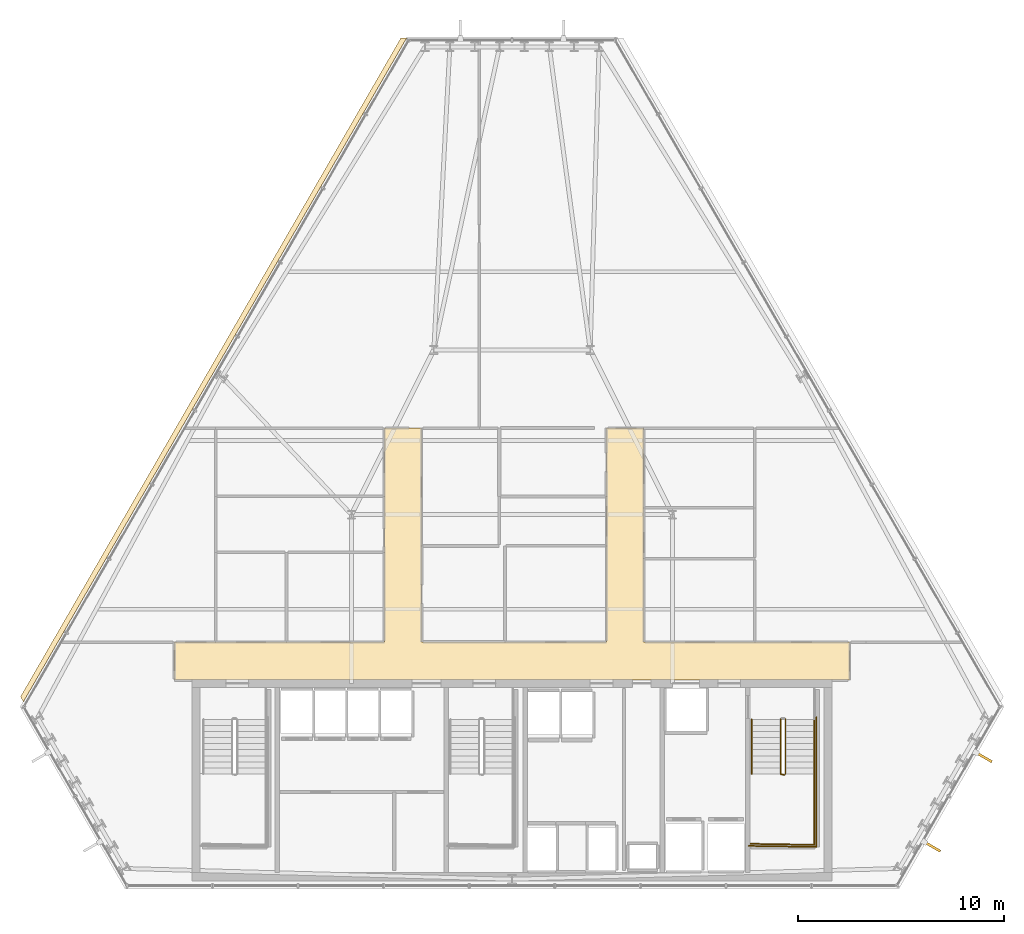
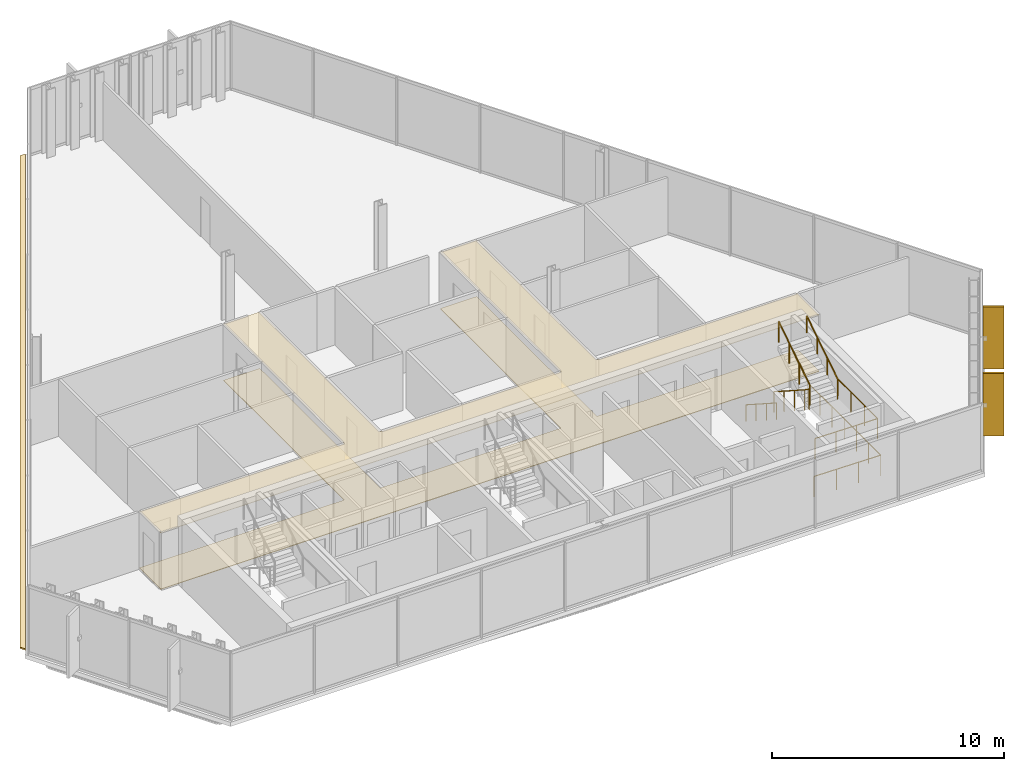
# One storey, part 33 of 35: 6 railings, 3 coverings, 2 shading devices.
"""IFC4 building model written with IfcOpenShell, lengths in metres."""

from ifc_helpers import new_model, si_unit, direction, frame, origin, origin_2d, place, context, subcontext, project, spatial, polyline, rectangle, circle, outline, extrude, material, layer, layer_set, type_object, element, save


model = new_model("IFC4")

# Units and contexts
model_context = context("Model", 3, precision=1e-05, world=origin(), true_north=direction((0.0, 1.0)))
body_context = subcontext(model_context, "Body", "Model", "MODEL_VIEW")
ifc_project = project(units=[si_unit("LENGTHUNIT", "METRE"), si_unit("AREAUNIT", "SQUARE_METRE"), si_unit("VOLUMEUNIT", "CUBIC_METRE"), si_unit("PLANEANGLEUNIT", "RADIAN"), si_unit("MASSUNIT", "GRAM", prefix="KILO")], contexts=[model_context])

# Site, building, storey
site_placement = place(None, origin())
site = spatial("IfcSite", under=ifc_project, at=site_placement, CompositionType="ELEMENT")
building_placement = place(site_placement, origin())
building = spatial("IfcBuilding", under=site, at=building_placement, Name="Ndaravel Arena Tower", CompositionType="ELEMENT")
storey_placement = place(building_placement, frame((0.0, 0.0, 172.60009765625)))
storey = spatial("IfcBuildingStorey", under=building, at=storey_placement, Name="L41", CompositionType="ELEMENT", Elevation=172.60009765625)

# Coverings
ifc_material_1 = material(Name="Acoustic Ceiling Tile", Category="finish")
ifc_layer_1 = layer(ifc_material_1, 0.02490234375)
ifc_layer_set_1 = layer_set([ifc_layer_1], Name="Acoustic Ceiling Tile")
covering_type_1 = type_object("IfcCoveringType", Name="COV-CEIL-AC600", PredefinedType="CEILING", material=ifc_layer_set_1)
covering_1_placement = place(storey_placement, frame((0.0, 0.0, 2.98046875)))
element("IfcCovering", 1, at=covering_1_placement, inside=storey, type_object=covering_type_1, Name="L41 Corridor Acoustic Ceiling", PredefinedType="CEILING", context=body_context, shape_type="SweptSolid", body=[
    extrude(outline(polyline([(58.39990234375, 17.0), (48.39990234375, 17.0), (48.39990234375, 27.39990234375), (46.60009765625, 27.39990234375), (46.60009765625, 17.0), (37.60009765625, 17.0), (37.60009765625, 27.39990234375), (35.800048828125, 27.39990234375), (35.800048828125, 17.0), (25.60009765625, 17.0), (25.60009765625, 15.14990234375), (58.39990234375, 15.14990234375), (58.39990234375, 17.0)])), origin(), (0.0, 0.0, 1.0), 0.02490234375),
])
ifc_material_2 = material(Name="Terrazzo", Category="stone")
ifc_layer_2 = layer(ifc_material_2, 0.030029296875)
ifc_layer_set_2 = layer_set([ifc_layer_2], Name="Terrazzo")
covering_type_2 = type_object("IfcCoveringType", Name="COV-FLOOR-TERRAZZO", PredefinedType="FLOORING", material=ifc_layer_set_2)
covering_2_placement = place(storey_placement, origin())
element("IfcCovering", 2, at=covering_2_placement, inside=storey, type_object=covering_type_2, Name="L41 Corridor Terrazzo Flooring", PredefinedType="FLOORING", context=body_context, shape_type="SweptSolid", body=[
    extrude(outline(polyline([(58.39990234375, 17.0), (48.39990234375, 17.0), (48.39990234375, 27.39990234375), (46.60009765625, 27.39990234375), (46.60009765625, 17.0), (37.60009765625, 17.0), (37.60009765625, 27.39990234375), (35.800048828125, 27.39990234375), (35.800048828125, 17.0), (25.60009765625, 17.0), (25.60009765625, 15.14990234375), (58.39990234375, 15.14990234375), (58.39990234375, 17.0)])), origin(), (0.0, 0.0, 1.0), 0.02978515625),
])
ifc_material_3 = material(Name="Roofing Membrane", Category="finish")
ifc_layer_3 = layer(ifc_material_3, 0.080078125)
ifc_layer_set_3 = layer_set([ifc_layer_3], Name="Roofing Membrane")
covering_type_3 = type_object("IfcCoveringType", Name="COV-ROOF-MEMB", PredefinedType="ROOFING", material=ifc_layer_set_3)
covering_3_placement = place(storey_placement, origin())
element("IfcCovering", 3, at=covering_3_placement, inside=storey, type_object=covering_type_3, Name="L41 Facet Setback Weathering Flashing", PredefinedType="ROOFING", context=body_context, shape_type="SweptSolid", body=[
    extrude(outline(polyline([(18.119873046875, 14.348388671875), (36.602783203125, 46.36181640625), (36.885009765625, 46.36181640625), (18.260986328125, 14.10400390625), (18.119873046875, 14.348388671875)])), origin(), (0.0, 0.0, 1.0), 0.079833984375),
])

# Railings
ifc_material_4 = material(Name="Steel S355", Category="steel")
ifc_layer_4 = layer(ifc_material_4, 0.06005859375)
ifc_layer_set_4 = layer_set([ifc_layer_4], Name="Steel S355")
railing_type_1 = type_object("IfcRailingType", Name="RAIL-STAIR-GD1100", PredefinedType="GUARDRAIL", material=ifc_layer_set_4)
railing_1_placement = place(storey_placement, frame((55.050048828125, 13.25, 0.18994140625)))
element("IfcRailing", 4, at=railing_1_placement, inside=storey, type_object=railing_type_1, Name="L41 ST-3 stair guard 1", PredefinedType="GUARDRAIL", context=body_context, shape_type="SweptSolid", body=[
    extrude(circle(Radius=0.02392578125, at=origin_2d()), frame((0.0, 0.0, 1.076171875), z_axis=(0.0, -0.840723540582, 0.54146461409), x_axis=(1.0, 0.0, 0.0)), (0.0, 0.0, 1.0), 3.157958984375),
    extrude(circle(Radius=0.02392578125, at=origin_2d()), frame((0.0, -2.655029296875, 2.7861328125), z_axis=(0.966993988697, -0.254799187253, 0.0), x_axis=(0.254799187253, 0.966993988697, 0.0)), (0.0, 0.0, 1.0), 0.196533203125),
    extrude(circle(Radius=0.02099609375, at=origin_2d()), origin(), (0.0, 0.0, 1.0), 1.052001953125),
    extrude(circle(Radius=0.02099609375, at=origin_2d()), frame((0.0, -0.885009765625, 0.570068359375)), (0.0, 0.0, 1.0), 1.052001953125),
    extrude(circle(Radius=0.02099609375, at=origin_2d()), frame((0.0, -1.77001953125, 1.139892578125)), (0.0, 0.0, 1.0), 1.052001953125),
    extrude(circle(Radius=0.02099609375, at=origin_2d()), frame((0.0, -2.655029296875, 1.7099609375)), (0.0, 0.0, 1.0), 1.052001953125),
    extrude(circle(Radius=0.02099609375, at=origin_2d()), frame((0.18994140625, -2.705078125, 1.7099609375)), (0.0, 0.0, 1.0), 1.052001953125),
])
railing_2_placement = place(storey_placement, frame((56.68994140625, 10.594970703125, 1.89990234375)))
element("IfcRailing", 5, at=railing_2_placement, inside=storey, type_object=railing_type_1, Name="L41 ST-3 stair guard 2", PredefinedType="GUARDRAIL", context=body_context, shape_type="SweptSolid", body=[
    extrude(circle(Radius=0.02392578125, at=origin_2d()), frame((0.0, 0.0, 1.076171875), z_axis=(0.0, -1.0, 0.0), x_axis=(1.0, 0.0, 0.0)), (0.0, 0.0, 1.0), 3.445068359375),
    extrude(circle(Radius=0.02392578125, at=origin_2d()), frame((0.0, -3.445068359375, 1.076171875), z_axis=(-0.999868840623, 0.016195726322, 0.0), x_axis=(-0.016195726322, -0.999868840623, 0.0)), (0.0, 0.0, 1.0), 3.09033203125),
    extrude(circle(Radius=0.02099609375, at=origin_2d()), origin(), (0.0, 0.0, 1.0), 1.052001953125),
    extrude(circle(Radius=0.02099609375, at=origin_2d()), frame((0.0, -1.1484375, 0.0)), (0.0, 0.0, 1.0), 1.052001953125),
    extrude(circle(Radius=0.02099609375, at=origin_2d()), frame((0.0, -2.296630859375, 0.0)), (0.0, 0.0, 1.0), 1.052001953125),
    extrude(circle(Radius=0.02099609375, at=origin_2d()), frame((0.0, -3.445068359375, 0.0)), (0.0, 0.0, 1.0), 1.052001953125),
    extrude(circle(Radius=0.02099609375, at=origin_2d()), frame((-1.030029296875, -3.428466796875, 0.0)), (0.0, 0.0, 1.0), 1.052001953125),
    extrude(circle(Radius=0.02099609375, at=origin_2d()), frame((-2.059814453125, -3.41162109375, 0.0)), (0.0, 0.0, 1.0), 1.052001953125),
    extrude(circle(Radius=0.02099609375, at=origin_2d()), frame((-3.08984375, -3.39501953125, 0.0)), (0.0, 0.0, 1.0), 1.052001953125),
])
railing_3_placement = place(storey_placement, frame((55.2900390625, 10.594970703125, 2.08984375)))
element("IfcRailing", 6, at=railing_3_placement, inside=storey, type_object=railing_type_1, Name="L41 ST-3 stair guard 3", PredefinedType="GUARDRAIL", context=body_context, shape_type="SweptSolid", body=[
    extrude(circle(Radius=0.02392578125, at=origin_2d()), frame((0.0, 0.0, 1.076171875), z_axis=(0.0, 0.840723540582, 0.54146461409), x_axis=(-1.0, 0.0, 0.0)), (0.0, 0.0, 1.0), 3.157958984375),
    extrude(circle(Radius=0.02099609375, at=origin_2d()), origin(), (0.0, 0.0, 1.0), 1.052001953125),
    extrude(circle(Radius=0.02099609375, at=origin_2d()), frame((0.0, 0.885009765625, 0.570068359375)), (0.0, 0.0, 1.0), 1.052001953125),
    extrude(circle(Radius=0.02099609375, at=origin_2d()), frame((0.0, 1.77001953125, 1.139892578125)), (0.0, 0.0, 1.0), 1.052001953125),
    extrude(circle(Radius=0.02099609375, at=origin_2d()), frame((0.0, 2.655029296875, 1.7099609375)), (0.0, 0.0, 1.0), 1.052001953125),
])
railing_4_placement = place(storey_placement, frame((56.7900390625, 13.35009765625, 0.0)))
element("IfcRailing", 7, at=railing_4_placement, inside=storey, type_object=railing_type_1, Name="L41 ST-3 stair guard 6", PredefinedType="GUARDRAIL", context=body_context, shape_type="SweptSolid", body=[
    extrude(circle(Radius=0.02392578125, at=origin_2d()), frame((0.0, 0.0, 1.076171875), z_axis=(0.0, -1.0, 0.0), x_axis=(1.0, 0.0, 0.0)), (0.0, 0.0, 1.0), 6.300048828125),
    extrude(circle(Radius=0.02392578125, at=origin_2d()), frame((0.0, -6.300048828125, 1.076171875), z_axis=(-0.99988431412, 0.015210469308, 0.0), x_axis=(-0.015210469308, -0.99988431412, 0.0)), (0.0, 0.0, 1.0), 3.29052734375),
    extrude(circle(Radius=0.02099609375, at=origin_2d()), origin(), (0.0, 0.0, 1.0), 1.052001953125),
    extrude(circle(Radius=0.02099609375, at=origin_2d()), frame((0.0, -1.050048828125, 0.0)), (0.0, 0.0, 1.0), 1.052001953125),
    extrude(circle(Radius=0.02099609375, at=origin_2d()), frame((0.0, -2.10009765625, 0.0)), (0.0, 0.0, 1.0), 1.052001953125),
    extrude(circle(Radius=0.02099609375, at=origin_2d()), frame((0.0, -3.14990234375, 0.0)), (0.0, 0.0, 1.0), 1.052001953125),
    extrude(circle(Radius=0.02099609375, at=origin_2d()), frame((0.0, -4.199951171875, 0.0)), (0.0, 0.0, 1.0), 1.052001953125),
    extrude(circle(Radius=0.02099609375, at=origin_2d()), frame((0.0, -5.25, 0.0)), (0.0, 0.0, 1.0), 1.052001953125),
    extrude(circle(Radius=0.02099609375, at=origin_2d()), frame((0.0, -6.300048828125, 0.0)), (0.0, 0.0, 1.0), 1.052001953125),
    extrude(circle(Radius=0.02099609375, at=origin_2d()), frame((-1.0966796875, -6.283447265625, 0.0)), (0.0, 0.0, 1.0), 1.052001953125),
    extrude(circle(Radius=0.02099609375, at=origin_2d()), frame((-2.193359375, -6.2666015625, 0.0)), (0.0, 0.0, 1.0), 1.052001953125),
    extrude(circle(Radius=0.02099609375, at=origin_2d()), frame((-3.2900390625, -6.25, 0.0)), (0.0, 0.0, 1.0), 1.052001953125),
])
ifc_material_5 = material(Name="Steel S355", Category="steel")
ifc_layer_5 = layer(ifc_material_5, 0.050048828125)
ifc_layer_set_5 = layer_set([ifc_layer_5], Name="Steel S355")
railing_type_2 = type_object("IfcRailingType", Name="RAIL-STAIR-HR920", PredefinedType="HANDRAIL", material=ifc_layer_set_5)
railing_5_placement = place(storey_placement, frame((53.64990234375, 13.25, 0.18994140625)))
element("IfcRailing", 8, at=railing_5_placement, inside=storey, type_object=railing_type_2, Name="L41 ST-3 stair handrail 1", PredefinedType="HANDRAIL", context=body_context, shape_type="SweptSolid", body=[
    extrude(circle(Radius=0.02392578125, at=origin_2d()), frame((0.0, 0.0, 0.8759765625), z_axis=(0.0, -0.840723540582, 0.54146461409), x_axis=(1.0, 0.0, 0.0)), (0.0, 0.0, 1.0), 3.157958984375),
    extrude(circle(Radius=0.02099609375, at=origin_2d()), origin(), (0.0, 0.0, 1.0), 0.851806640625),
    extrude(circle(Radius=0.02099609375, at=origin_2d()), frame((0.0, -0.885009765625, 0.570068359375)), (0.0, 0.0, 1.0), 0.851806640625),
    extrude(circle(Radius=0.02099609375, at=origin_2d()), frame((0.0, -1.77001953125, 1.139892578125)), (0.0, 0.0, 1.0), 0.851806640625),
    extrude(circle(Radius=0.02099609375, at=origin_2d()), frame((0.0, -2.655029296875, 1.7099609375)), (0.0, 0.0, 1.0), 0.851806640625),
])
railing_6_placement = place(storey_placement, frame((56.68994140625, 10.594970703125, 2.08984375)))
element("IfcRailing", 9, at=railing_6_placement, inside=storey, type_object=railing_type_2, Name="L41 ST-3 stair handrail 2", PredefinedType="HANDRAIL", context=body_context, shape_type="SweptSolid", body=[
    extrude(circle(Radius=0.02392578125, at=origin_2d()), frame((0.0, 0.0, 0.8759765625), z_axis=(0.0, 0.840723540582, 0.54146461409), x_axis=(-1.0, 0.0, 0.0)), (0.0, 0.0, 1.0), 3.157958984375),
    extrude(circle(Radius=0.02099609375, at=origin_2d()), origin(), (0.0, 0.0, 1.0), 0.851806640625),
    extrude(circle(Radius=0.02099609375, at=origin_2d()), frame((0.0, 0.885009765625, 0.570068359375)), (0.0, 0.0, 1.0), 0.851806640625),
    extrude(circle(Radius=0.02099609375, at=origin_2d()), frame((0.0, 1.77001953125, 1.139892578125)), (0.0, 0.0, 1.0), 0.851806640625),
    extrude(circle(Radius=0.02099609375, at=origin_2d()), frame((0.0, 2.655029296875, 1.7099609375)), (0.0, 0.0, 1.0), 0.851806640625),
])

# Shading devices
ifc_material_6 = material(Name="Masonry", Category="masonry")
shading_device_type = type_object("IfcShadingDeviceType", Name="SHD-MAZERAS-FIN", PredefinedType="SHUTTER", material=ifc_material_6)
for number, where, z_axis, x_axis, name in (
    (10, (62.420654296875, 7.066162109375, 0.14990234375), (0.0, 0.0, 1.0), (0.866025403784, -0.5, 0.0), "L41 Mazeras Stone Solar Fin E2.1"),
    (11, (64.929931640625, 11.41259765625, 0.14990234375), (0.0, 0.0, 1.0), (0.866025403784, -0.5, 0.0), "L41 Mazeras Stone Solar Fin E2.2"),
):
    element("IfcShadingDevice", number, at=place(storey_placement, frame(where, z_axis=z_axis, x_axis=x_axis)), inside=storey, type_object=shading_device_type, Name=name, PredefinedType="SHUTTER", context=body_context, shape_type="SweptSolid", body=[
        extrude(rectangle(XDim=0.89990234375, YDim=0.1201171875, at=origin_2d()), origin(), (0.0, 0.0, 1.0), 3.280029296875),
    ])

save(model, "model.ifc")
